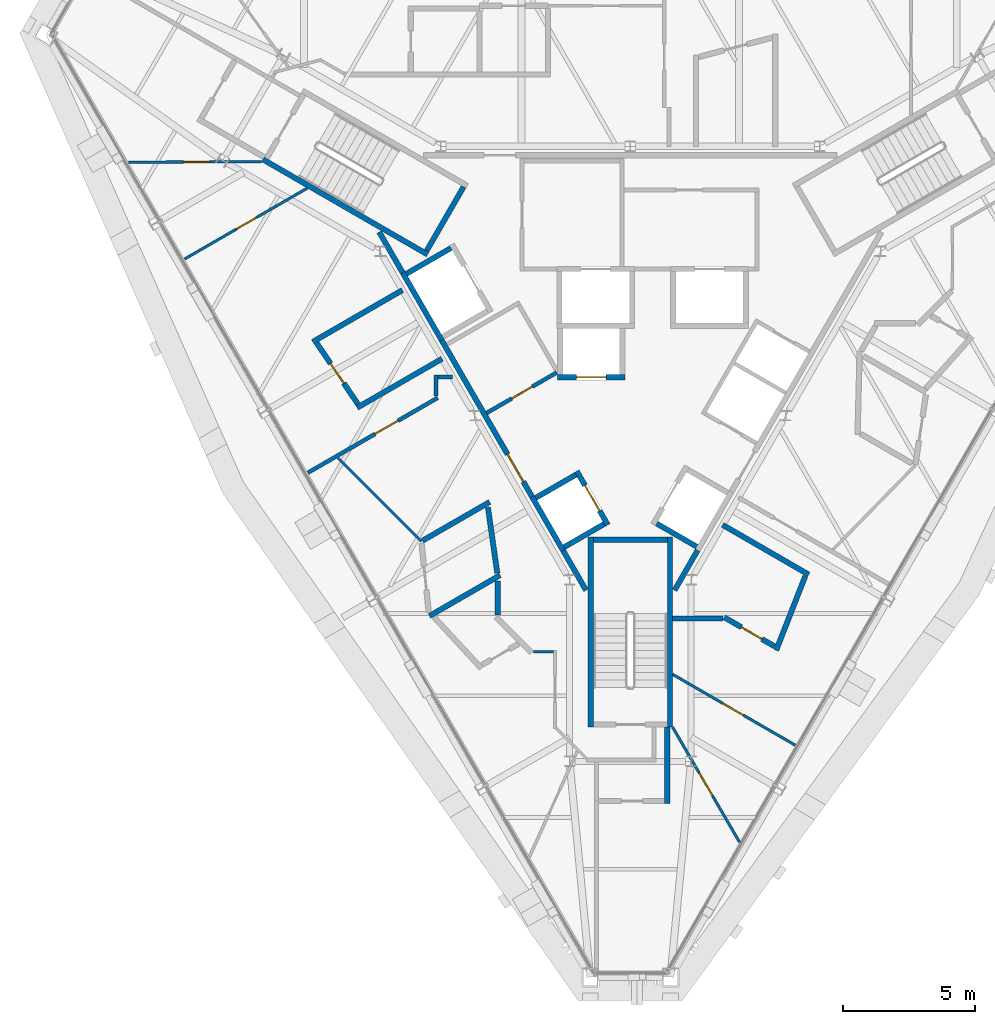
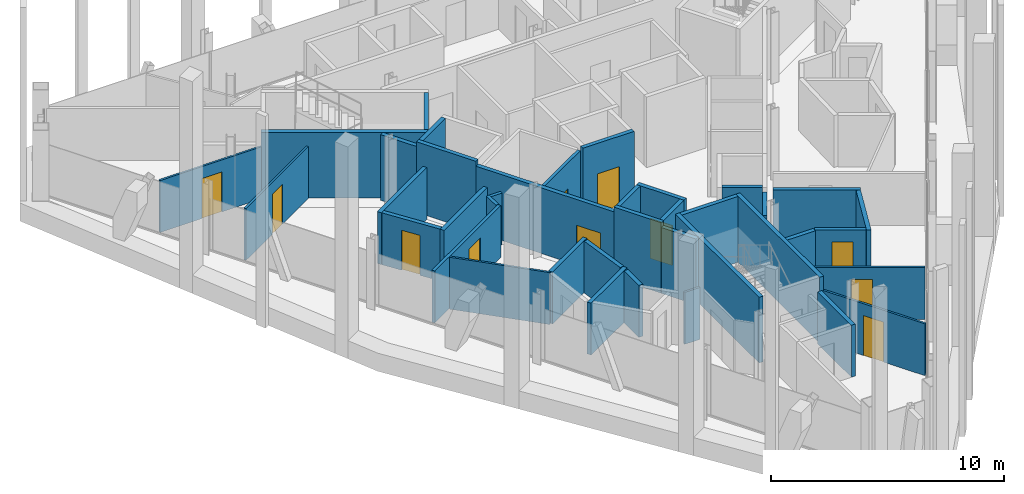
# One storey, part 8 of 13: 39 walls, 11 doors, 11 openings.
"""IFC4 building model written with IfcOpenShell, lengths in metres."""

import ifcopenshell
import ifcopenshell.guid

model = None  # the IFC model being written
_history = None  # IfcOwnerHistory: only IFC2X3 demands one
_inside = {}  # id of a spatial element -> (the spatial element, [elements in it])
_under = {}  # id of a project, library or spatial element -> (it, [spatial elements below it])
_declared = {}  # id of a project -> (the project, [libraries it declares])
_typed = {}  # id of a type object -> (the type object, [elements of that type])
_made_of = {}  # id of a material, layer set ... -> (it, [elements and type objects made of it])


def new_model(schema):
    """Start an empty IFC model of exactly this schema.

    Asked for "IFC4X3", IfcOpenShell would pick the latest addendum, in which some entities
    have other attributes; the version numbers below select the first issue.
    IFC2X3 requires an IfcOwnerHistory on every rooted entity: one is made here for all.
    """
    global model, _history
    if schema == "IFC4X3":
        model = ifcopenshell.file(schema_version=(4, 3, 0, 0))
    else:
        model = ifcopenshell.file(schema=schema)
    _inside.clear()
    _under.clear()
    _declared.clear()
    _typed.clear()
    _made_of.clear()
    _history = None
    if model.schema == "IFC2X3":
        org = make("IfcOrganization", Name="unknown")
        user = make(
            "IfcPersonAndOrganization",
            ThePerson=make("IfcPerson", FamilyName="unknown"),
            TheOrganization=org,
        )
        app = make(
            "IfcApplication",
            ApplicationDeveloper=org,
            Version="unknown",
            ApplicationFullName="unknown",
            ApplicationIdentifier="unknown",
        )
        _history = make(
            "IfcOwnerHistory",
            OwningUser=user,
            OwningApplication=app,
            ChangeAction="ADDED",
            CreationDate=0,
        )
    return model


def make(cls, **values):
    """One entity of the class cls with the attributes given. An attribute that is None is left unset."""
    return model.create_entity(
        cls, **{name: value for name, value in values.items() if value is not None}
    )


def rooted(cls, **values):
    """An entity with a GlobalId (a new one), such as an element, a storey or a relation."""
    return make(cls, GlobalId=ifcopenshell.guid.new(), OwnerHistory=_history, **values)


def si_unit(unit_type, name, prefix=None):
    """IfcSIUnit, for example si_unit("LENGTHUNIT", "METRE", prefix="MILLI")."""
    return make("IfcSIUnit", UnitType=unit_type, Prefix=prefix, Name=name)


def assignment(units):
    """IfcUnitAssignment: the units of a project."""
    return None if units is None else make("IfcUnitAssignment", Units=units)


def point(xyz):
    """IfcCartesianPoint."""
    return None if xyz is None else make("IfcCartesianPoint", Coordinates=xyz)


def direction(xyz):
    """IfcDirection."""
    return None if xyz is None else make("IfcDirection", DirectionRatios=xyz)


def frame(location, z_axis=None, x_axis=None):
    """IfcAxis2Placement3D, a coordinate frame: its origin and axes. An axis left out is left unset."""
    return make(
        "IfcAxis2Placement3D",
        Location=point(location),
        Axis=direction(z_axis),
        RefDirection=direction(x_axis),
    )


def frame_2d(location, x_axis=None):
    """IfcAxis2Placement2D, a coordinate frame in the plane: its origin and x axis."""
    return make(
        "IfcAxis2Placement2D", Location=point(location), RefDirection=direction(x_axis)
    )


def origin():
    """The frame at (0, 0, 0) with its axes left unset."""
    return frame((0.0, 0.0, 0.0))


def place(relative_to, where):
    """IfcLocalPlacement: puts the frame where relative to a parent placement (None: the world)."""
    return make(
        "IfcLocalPlacement", PlacementRelTo=relative_to, RelativePlacement=where
    )


def context(
    kind, dimensions, precision=None, world=None, true_north=None, identifier=None
):
    """IfcGeometricRepresentationContext, for example the 3D "Model" context."""
    return make(
        "IfcGeometricRepresentationContext",
        ContextIdentifier=identifier,
        ContextType=kind,
        CoordinateSpaceDimension=dimensions,
        Precision=precision,
        WorldCoordinateSystem=world,
        TrueNorth=true_north,
    )


def subcontext(parent, identifier, kind, view, scale=None):
    """IfcGeometricRepresentationSubContext, for example "Body" below "Model"."""
    return make(
        "IfcGeometricRepresentationSubContext",
        ContextIdentifier=identifier,
        ContextType=kind,
        ParentContext=parent,
        TargetScale=scale,
        TargetView=view,
    )


def project(units=None, contexts=None):
    """IfcProject with its units and contexts."""
    return rooted(
        "IfcProject",
        Name="project",
        RepresentationContexts=contexts,
        UnitsInContext=assignment(units),
    )


def spatial(cls, under=None, at=None, **own):
    """A site, building, storey or space (cls), placed at a placement, below another one or the project."""
    s = rooted(cls, ObjectPlacement=at, **own)
    if under is not None:
        _under.setdefault(under.id(), (under, []))[1].append(s)
    return s


def profile(cls, at=None, kind="AREA", **sizes):
    """A parametric profile (cls). Its sizes go by their IFC names, for example OverallWidth=200.0."""
    return make(cls, ProfileType=kind, Position=at, **sizes)


def rectangle(**sizes):
    """IfcRectangleProfileDef."""
    return profile("IfcRectangleProfileDef", **sizes)


def extrude(swept, where, along, depth):
    """IfcExtrudedAreaSolid: the profile swept, set in the frame where, extruded along a direction by depth."""
    return make(
        "IfcExtrudedAreaSolid",
        SweptArea=swept,
        Position=where,
        ExtrudedDirection=direction(along),
        Depth=depth,
    )


def shape(context_of_items, identifier, shape_type, items):
    """IfcShapeRepresentation: the items that make up one representation, for example the "Body"."""
    return make(
        "IfcShapeRepresentation",
        ContextOfItems=context_of_items,
        RepresentationIdentifier=identifier,
        RepresentationType=shape_type,
        Items=items,
    )


def material(Name=None, Category=None):
    """IfcMaterial."""
    return make("IfcMaterial", Name=Name, Category=Category)


def layer(
    of_material, thickness, ventilated=None, Name=None, Category=None, Priority=None
):
    """IfcMaterialLayer: one layer of a wall or slab, of a material (None: an air gap)."""
    return make(
        "IfcMaterialLayer",
        Material=of_material,
        LayerThickness=thickness,
        IsVentilated=ventilated,
        Name=Name,
        Category=Category,
        Priority=Priority,
    )


def layer_set(layers, Name=None):
    """IfcMaterialLayerSet."""
    return make("IfcMaterialLayerSet", MaterialLayers=layers, LayerSetName=Name)


def made_of(thing, what):
    """Note that an element or type object is made of a material, layer set ...; save() writes the relation."""
    if what is not None:
        _made_of.setdefault(what.id(), (what, []))[1].append(thing)
    return thing


def type_object(cls, material=None, **own):
    """A type object (cls), such as IfcWallType, which elements share."""
    return made_of(rooted(cls, **own), material)


def element(
    cls,
    number,
    at=None,
    inside=None,
    cuts=None,
    type_object=None,
    material=None,
    context=None,
    identifier="Body",
    shape_type=None,
    held_by="IfcProductDefinitionShape",
    body=None,
    shapes=None,
    **own,
):
    """One element of the class cls, such as IfcWall. Its Tag is "e" and its number.

    at: its placement. inside: the storey or other place that contains it. cuts: it is an
    opening in that element (IfcRelVoidsElement). A single representation is given by context,
    identifier, shape_type and body (its items); several are given by shapes. held_by: the class
    of the entity that holds the representations. save() writes the other relations.
    """
    e = rooted(cls, Tag="e%d" % number, ObjectPlacement=at, **own)
    if body is not None:
        shapes = [shape(context, identifier, shape_type, body)]
    if shapes is not None:
        e.Representation = make(held_by, Representations=shapes)
    if inside is not None:
        _inside.setdefault(inside.id(), (inside, []))[1].append(e)
    if cuts is not None:
        rooted(
            "IfcRelVoidsElement", RelatingBuildingElement=cuts, RelatedOpeningElement=e
        )
    if type_object is not None:
        _typed.setdefault(type_object.id(), (type_object, []))[1].append(e)
    return made_of(e, material)


def fill(opening, filler):
    """IfcRelFillsElement: the door or window that sits in an opening."""
    return rooted(
        "IfcRelFillsElement",
        RelatingOpeningElement=opening,
        RelatedBuildingElement=filler,
    )


def aggregate(whole, parts):
    """IfcRelAggregates: a whole, such as a stair, and the parts it consists of."""
    return rooted("IfcRelAggregates", RelatingObject=whole, RelatedObjects=parts)


def save(model, path):
    """Write the relations noted so far, then the file.

    IfcRelAggregates (storeys below a building ...), IfcRelContainedInSpatialStructure (elements
    in a storey), IfcRelDefinesByType, IfcRelAssociatesMaterial and IfcRelDeclares: one each for
    every whole, place, type object, material and project.
    """
    for whole, parts in _under.values():
        aggregate(whole, parts)
    for where, things in _inside.values():
        rooted(
            "IfcRelContainedInSpatialStructure",
            RelatedElements=things,
            RelatingStructure=where,
        )
    for kind, things in _typed.values():
        rooted("IfcRelDefinesByType", RelatedObjects=things, RelatingType=kind)
    for what, things in _made_of.values():
        rooted("IfcRelAssociatesMaterial", RelatedObjects=things, RelatingMaterial=what)
    for by, libraries in _declared.values():
        rooted("IfcRelDeclares", RelatingContext=by, RelatedDefinitions=libraries)
    model.write(path)


model = new_model("IFC4")

# Units and contexts
model_context = context("Model", 3, precision=1e-05, world=origin(), true_north=direction((0.0, 1.0)))
body_context = subcontext(model_context, "Body", "Model", "MODEL_VIEW")
ifc_project = project(units=[si_unit("LENGTHUNIT", "METRE"), si_unit("AREAUNIT", "SQUARE_METRE"), si_unit("VOLUMEUNIT", "CUBIC_METRE"), si_unit("PLANEANGLEUNIT", "RADIAN"), si_unit("MASSUNIT", "GRAM", prefix="KILO")], contexts=[model_context])

# Site, building, storey
site_placement = place(None, origin())
site = spatial("IfcSite", under=ifc_project, at=site_placement, CompositionType="ELEMENT")
building_placement = place(site_placement, origin())
building = spatial("IfcBuilding", under=site, at=building_placement, Name="Verrane Prism Tower", CompositionType="ELEMENT")
storey_placement = place(building_placement, frame((0.0, 0.0, 275.10009765625)))
storey = spatial("IfcBuildingStorey", under=building, at=storey_placement, Name="L69", CompositionType="ELEMENT", Elevation=275.10009765625)

# Wall
ifc_material_1 = material(Name="Gypsum board partition", Category="other")
ifc_layer_1 = layer(ifc_material_1, 0.199951171875)
ifc_layer_set_1 = layer_set([ifc_layer_1], Name="CW-200 core boundary wall 2 h")
wall_type_1 = type_object("IfcWallType", Name="CW-200 core boundary wall 2 h", PredefinedType="PARTITIONING", material=ifc_layer_set_1)
wall_1_placement = place(storey_placement, frame((-9.509033203125, 3.550537109375, 0.0), z_axis=(0.0, 0.0, 1.0), x_axis=(0.499999136801, -0.866025902152, 0.0)))
element("IfcWall", 1, at=wall_1_placement, inside=storey, type_object=wall_type_1, Name="Core boundary wall CW3-001", PredefinedType="PARTITIONING", context=body_context, shape_type="SweptSolid", body=[
    extrude(rectangle(XDim=1.7822265625, YDim=0.199951171875, at=frame_2d((0.89111328125, 0.0))), origin(), (0.0, 0.0, 1.0), 3.449951171875),
])

# Wall, opening, door
wall_2_placement = place(storey_placement, frame((-7.14111328125, -0.551025390625, 0.0), z_axis=(0.0, 0.0, 1.0), x_axis=(0.500001302854, -0.86602465158, 0.0)))
wall_2 = element("IfcWall", 2, at=wall_2_placement, inside=storey, type_object=wall_type_1, Name="Core boundary wall CW3-003", PredefinedType="PARTITIONING", context=body_context, shape_type="SweptSolid", body=[
    extrude(rectangle(XDim=6.84619140625, YDim=0.199951171875, at=frame_2d((3.423095703125, 0.0))), origin(), (0.0, 0.0, 1.0), 3.449951171875),
])
opening_1_placement = place(wall_2_placement, frame((4.98291015625, 0.0, 0.0)))
opening_1 = element("IfcOpeningElement", 3, at=opening_1_placement, cuts=wall_2, Name="Opening D69510", PredefinedType="OPENING", context=body_context, shape_type="SweptSolid", body=[
    extrude(rectangle(XDim=1.199951171875, YDim=2.10009765625, at=frame_2d((0.60009765625, 1.050048828125))), frame((0.0, 0.10986328125, 0.0), z_axis=(0.0, -1.0, 0.0), x_axis=(1.0, 0.0, 0.0)), (0.0, 0.0, 1.0), 0.219970703125),
])
ifc_material_2 = material(Name="Timber veneered door leaf", Category="wood")
door_type_1 = type_object("IfcDoorType", Name="DR-1200x2100 FD60 single leaf lift lobby", OperationType="NOTDEFINED", PredefinedType="DOOR", material=ifc_material_2)
door_1_placement = place(opening_1_placement, origin())
door_1 = element("IfcDoor", 4, at=door_1_placement, inside=storey, type_object=door_type_1, Name="Lift lobby door D69510", OperationType="SINGLE_SWING_RIGHT", OverallHeight=2.10009765625, OverallWidth=1.199951171875, PredefinedType="DOOR", context=body_context, shape_type="SweptSolid", body=[
    extrude(rectangle(XDim=1.199951171875, YDim=2.10009765625, at=frame_2d((0.60009765625, 1.050048828125))), frame((0.0, 0.02490234375, 0.0), z_axis=(0.0, -1.0, 0.0), x_axis=(1.0, 0.0, 0.0)), (0.0, 0.0, 1.0), 0.050048828125),
])
fill(opening_1, door_1)

# Walls
wall_3_placement = place(storey_placement, frame((-2.541015625, -8.51904296875, 0.0), z_axis=(0.0, 0.0, 1.0), x_axis=(0.500016142392, -0.86601608377, 0.0)))
element("IfcWall", 5, at=wall_3_placement, inside=storey, type_object=wall_type_1, Name="Core boundary wall CW3-004", PredefinedType="PARTITIONING", context=body_context, shape_type="SweptSolid", body=[
    extrude(rectangle(XDim=1.72705078125, YDim=0.199951171875, at=frame_2d((0.863525390625, 0.0))), origin(), (0.0, 0.0, 1.0), 3.449951171875),
])
wall_4_placement = place(storey_placement, frame((1.677490234375, -10.0146484375, 0.0), z_axis=(0.0, 0.0, 1.0), x_axis=(0.49983532306, 0.866120459187, 0.0)))
element("IfcWall", 6, at=wall_4_placement, inside=storey, type_object=wall_type_1, Name="Core boundary wall CW3-005", PredefinedType="PARTITIONING", context=body_context, shape_type="SweptSolid", body=[
    extrude(rectangle(XDim=1.74755859375, YDim=0.199951171875, at=frame_2d((0.873779296875, 0.0))), origin(), (0.0, 0.0, 1.0), 3.449951171875),
])
ifc_material_3 = material(Name="Concrete C40/50", Category="concrete")
ifc_layer_2 = layer(ifc_material_3, 0.199951171875)
ifc_layer_set_2 = layer_set([ifc_layer_2], Name="CW-200 stair core wall concrete C40/50 3 h")
wall_type_2 = type_object("IfcWallType", Name="CW-200 stair core wall concrete C40/50 3 h", PredefinedType="PARTITIONING", material=ifc_layer_set_2)
wall_5_placement = place(storey_placement, frame((-7.67822265625, 2.700927734375, 0.0), z_axis=(0.0, 0.0, 1.0), x_axis=(-0.866018442252, 0.500012057535, 0.0)))
element("IfcWall", 7, at=wall_5_placement, inside=storey, type_object=wall_type_2, Name="Stair 2 enclosure wall", PredefinedType="PARTITIONING", context=body_context, shape_type="SweptSolid", body=[
    extrude(rectangle(XDim=7.199951171875, YDim=0.199951171875, at=frame_2d((3.60009765625, 0.0))), origin(), (0.0, 0.0, 1.0), 3.449951171875),
])
wall_6_placement = place(storey_placement, frame((-6.314697265625, 5.262451171875, 0.0), z_axis=(0.0, 0.0, 1.0), x_axis=(-0.500049511043, -0.865996816683, 0.0)))
element("IfcWall", 8, at=wall_6_placement, inside=storey, type_object=wall_type_2, Name="Stair 2 enclosure wall", PredefinedType="PARTITIONING", context=body_context, shape_type="SweptSolid", body=[
    extrude(rectangle(XDim=2.800048828125, YDim=0.199951171875, at=frame_2d((1.39990234375, 0.0))), origin(), (0.0, 0.0, 1.0), 3.449951171875),
])
for number, where, z_axis, x_axis, name in (
    (9, (1.5, -8.0, 0.0), (0.0, 0.0, 1.0), (0.0, -1.0, 0.0), "Stair 3 enclosure wall"),
    (10, (-1.5, -8.0, 0.0), (0.0, 0.0, 1.0), (0.0, -1.0, 0.0), "Stair 3 enclosure wall"),
):
    element("IfcWall", number, at=place(storey_placement, frame(where, z_axis=z_axis, x_axis=x_axis)), inside=storey, type_object=wall_type_2, Name=name, PredefinedType="PARTITIONING", context=body_context, shape_type="SweptSolid", body=[
        extrude(rectangle(XDim=7.199951171875, YDim=0.199951171875, at=frame_2d((3.60009765625, 0.0))), origin(), (0.0, 0.0, 1.0), 3.449951171875),
    ])
wall_7_placement = place(storey_placement, frame((-1.39990234375, -8.10009765625, 0.0), z_axis=(0.0, 0.0, 1.0), x_axis=(1.0, 0.0, 0.0)))
element("IfcWall", 11, at=wall_7_placement, inside=storey, type_object=wall_type_2, Name="Stair 3 enclosure wall", PredefinedType="PARTITIONING", context=body_context, shape_type="SweptSolid", body=[
    extrude(rectangle(XDim=2.7998046875, YDim=0.199951171875, at=frame_2d((1.39990234375, 0.0))), origin(), (0.0, 0.0, 1.0), 3.449951171875),
])

# Wall, opening, door
ifc_material_4 = material(Name="Gypsum board shaft wall assembly", Category="other")
ifc_layer_3 = layer(ifc_material_4, 0.199951171875)
ifc_layer_set_3 = layer_set([ifc_layer_3], Name="HW-200 lift shaft wall 2 h")
wall_type_3 = type_object("IfcWallType", Name="HW-200 lift shaft wall 2 h", PredefinedType="PARTITIONING", material=ifc_layer_set_3)
wall_8_placement = place(storey_placement, frame((-2.7548828125, -1.949951171875, 0.0), z_axis=(0.0, 0.0, 1.0), x_axis=(1.0, 0.0, 0.0)))
wall_8 = element("IfcWall", 12, at=wall_8_placement, inside=storey, type_object=wall_type_3, Name="Lift shaft wall", PredefinedType="PARTITIONING", context=body_context, shape_type="SweptSolid", body=[
    extrude(rectangle(XDim=2.5498046875, YDim=0.199951171875, at=frame_2d((1.27490234375, 0.0))), origin(), (0.0, 0.0, 1.0), 3.699951171875),
])
opening_2_placement = place(wall_8_placement, frame((0.72509765625, 0.0, 0.0)))
opening_2 = element("IfcOpeningElement", 13, at=opening_2_placement, cuts=wall_8, Name="Opening D69504", PredefinedType="OPENING", context=body_context, shape_type="SweptSolid", body=[
    extrude(rectangle(XDim=1.10009765625, YDim=2.10009765625, at=frame_2d((0.550048828125, 1.050048828125))), frame((0.0, 0.10986328125, 0.0), z_axis=(0.0, -1.0, 0.0), x_axis=(1.0, 0.0, 0.0)), (0.0, 0.0, 1.0), 0.219970703125),
])
ifc_material_5 = material(Name="Stainless steel sliding landing door", Category="steel")
door_type_2 = type_object("IfcDoorType", Name="LD-1100x2100 lift landing door FD90 sliding", OperationType="NOTDEFINED", PredefinedType="DOOR", material=ifc_material_5)
door_2_placement = place(opening_2_placement, origin())
door_2 = element("IfcDoor", 14, at=door_2_placement, inside=storey, type_object=door_type_2, Name="Bank C lift 2 landing door", OperationType="SLIDING_TO_RIGHT", OverallHeight=2.10009765625, OverallWidth=1.10009765625, PredefinedType="DOOR", context=body_context, shape_type="SweptSolid", body=[
    extrude(rectangle(XDim=1.10009765625, YDim=2.10009765625, at=frame_2d((0.550048828125, 1.050048828125))), frame((0.0, 0.02490234375, 0.0), z_axis=(0.0, -1.0, 0.0), x_axis=(1.0, 0.0, 0.0)), (0.0, 0.0, 1.0), 0.050048828125),
])
fill(opening_2, door_2)

# Walls
for number, where, z_axis, x_axis, name in (
    (15, (-2.50537109375, -8.38037109375, 0.0), (0.0, 0.0, 1.0), (0.866002029911, 0.500040482552, 0.0), "Lift shaft wall"),
    (16, (-3.580322265625, -6.5185546875, 0.0), (0.0, 0.0, 1.0), (0.866002029911, 0.500040482552, 0.0), "Lift shaft wall"),
):
    element("IfcWall", number, at=place(storey_placement, frame(where, z_axis=z_axis, x_axis=x_axis)), inside=storey, type_object=wall_type_3, Name=name, PredefinedType="PARTITIONING", context=body_context, shape_type="SweptSolid", body=[
        extrude(rectangle(XDim=1.749755859375, YDim=0.199951171875, at=frame_2d((0.875, 0.0))), origin(), (0.0, 0.0, 1.0), 3.699951171875),
    ])
wall_9_placement = place(storey_placement, frame((-8.48046875, 1.968505859375, 0.0), z_axis=(0.0, 0.0, 1.0), x_axis=(0.866000020948, 0.500043961785, 0.0)))
element("IfcWall", 17, at=wall_9_placement, inside=storey, type_object=wall_type_3, Name="Lift shaft wall", PredefinedType="PARTITIONING", context=body_context, shape_type="SweptSolid", body=[
    extrude(rectangle(XDim=1.949951171875, YDim=0.199951171875, at=frame_2d((0.97509765625, 0.0))), origin(), (0.0, 0.0, 1.0), 3.699951171875),
])

# Wall, opening, door
wall_10_placement = place(storey_placement, frame((-0.853271484375, -7.5419921875, 0.0), z_axis=(0.0, 0.0, 1.0), x_axis=(-0.500016218704, 0.866016039709, 0.0)))
wall_10 = element("IfcWall", 18, at=wall_10_placement, inside=storey, type_object=wall_type_3, Name="Lift shaft wall", PredefinedType="PARTITIONING", context=body_context, shape_type="SweptSolid", body=[
    extrude(rectangle(XDim=2.35009765625, YDim=0.199951171875, at=frame_2d((1.175048828125, 0.0))), origin(), (0.0, 0.0, 1.0), 3.699951171875),
])
opening_3_placement = place(wall_10_placement, frame((0.625, 0.0, 0.0)))
opening_3 = element("IfcOpeningElement", 19, at=opening_3_placement, cuts=wall_10, Name="Opening D69503", PredefinedType="OPENING", context=body_context, shape_type="SweptSolid", body=[
    extrude(rectangle(XDim=1.10009765625, YDim=2.10009765625, at=frame_2d((0.550048828125, 1.050048828125))), frame((0.0, 0.10986328125, 0.0), z_axis=(0.0, -1.0, 0.0), x_axis=(1.0, 0.0, 0.0)), (0.0, 0.0, 1.0), 0.219970703125),
])
door_3_placement = place(opening_3_placement, origin())
door_3 = element("IfcDoor", 20, at=door_3_placement, inside=storey, type_object=door_type_2, Name="Bank C lift 1 landing door", OperationType="SLIDING_TO_LEFT", OverallHeight=2.10009765625, OverallWidth=1.10009765625, PredefinedType="DOOR", context=body_context, shape_type="SweptSolid", body=[
    extrude(rectangle(XDim=1.10009765625, YDim=2.10009765625, at=frame_2d((0.550048828125, 1.050048828125))), frame((0.0, 0.02490234375, 0.0), z_axis=(0.0, -1.0, 0.0), x_axis=(1.0, 0.0, 0.0)), (0.0, 0.0, 1.0), 0.050048828125),
])
fill(opening_3, door_3)

# Walls
wall_11_placement = place(storey_placement, frame((-2.5419921875, -8.51708984375, 0.0), z_axis=(0.0, 0.0, 1.0), x_axis=(-0.500016218704, 0.866016039709, 0.0)))
element("IfcWall", 21, at=wall_11_placement, inside=storey, type_object=wall_type_3, Name="Lift shaft wall", PredefinedType="PARTITIONING", context=body_context, shape_type="SweptSolid", body=[
    extrude(rectangle(XDim=2.35009765625, YDim=0.199951171875, at=frame_2d((1.175048828125, 0.0))), origin(), (0.0, 0.0, 1.0), 3.699951171875),
])
wall_12_placement = place(storey_placement, frame((-7.14208984375, -0.549560546875, 0.0), z_axis=(0.0, 0.0, 1.0), x_axis=(-0.49997559174, 0.866039495442, 0.0)))
element("IfcWall", 22, at=wall_12_placement, inside=storey, type_object=wall_type_3, Name="Lift shaft wall", PredefinedType="PARTITIONING", context=body_context, shape_type="SweptSolid", body=[
    extrude(rectangle(XDim=2.949951171875, YDim=0.199951171875, at=frame_2d((1.47509765625, 0.0))), origin(), (0.0, 0.0, 1.0), 3.699951171875),
])
wall_13_placement = place(storey_placement, frame((2.515380859375, -8.36328125, 0.0), z_axis=(0.0, 0.0, 1.0), x_axis=(-0.866036909293, 0.499980071345, 0.0)))
element("IfcWall", 23, at=wall_13_placement, inside=storey, type_object=wall_type_3, Name="Lift shaft wall", PredefinedType="PARTITIONING", context=body_context, shape_type="SweptSolid", body=[
    extrude(rectangle(XDim=1.75, YDim=0.199951171875, at=frame_2d((0.875, 0.0))), origin(), (0.0, 0.0, 1.0), 3.699951171875),
])

# Wall, opening, door
ifc_material_6 = material(Name="Gypsum board partition", Category="other")
ifc_layer_4 = layer(ifc_material_6, 0.10009765625)
ifc_layer_set_4 = layer_set([ifc_layer_4], Name="PW-100 room partition")
wall_type_4 = type_object("IfcWallType", Name="PW-100 room partition", PredefinedType="PARTITIONING", material=ifc_layer_set_4)
wall_14_placement = place(storey_placement, frame((-19.00537109375, 6.19580078125, 0.0), z_axis=(0.0, 0.0, 1.0), x_axis=(0.999993403855, 0.003632113191, 0.0)))
wall_14 = element("IfcWall", 24, at=wall_14_placement, inside=storey, type_object=wall_type_4, Name="Room partition 002", PredefinedType="PARTITIONING", context=body_context, shape_type="SweptSolid", body=[
    extrude(rectangle(XDim=5.041259765625, YDim=0.10009765625, at=frame_2d((2.5205078125, 0.0))), origin(), (0.0, 0.0, 1.0), 2.722900390625),
])
opening_4_placement = place(wall_14_placement, frame((2.074462890625, 0.0, 0.0)))
opening_4 = element("IfcOpeningElement", 25, at=opening_4_placement, cuts=wall_14, Name="Opening D69022", PredefinedType="OPENING", context=body_context, shape_type="SweptSolid", body=[
    extrude(rectangle(XDim=1.0, YDim=2.10009765625, at=frame_2d((0.5, 1.050048828125))), frame((0.0, 0.06005859375, 0.0), z_axis=(0.0, -1.0, 0.0), x_axis=(1.0, 0.0, 0.0)), (0.0, 0.0, 1.0), 0.1201171875),
])
ifc_material_7 = material(Name="Timber veneered door leaf", Category="wood")
door_type_3 = type_object("IfcDoorType", Name="DR-1000x2100 single leaf inner", OperationType="NOTDEFINED", PredefinedType="DOOR", material=ifc_material_7)
door_4_placement = place(opening_4_placement, origin())
door_4 = element("IfcDoor", 26, at=door_4_placement, inside=storey, type_object=door_type_3, Name="Study door", OperationType="SINGLE_SWING_RIGHT", OverallHeight=2.10009765625, OverallWidth=1.0, PredefinedType="DOOR", context=body_context, shape_type="SweptSolid", body=[
    extrude(rectangle(XDim=1.0, YDim=2.10009765625, at=frame_2d((0.5, 1.050048828125))), frame((0.0, 0.02490234375, 0.0), z_axis=(0.0, -1.0, 0.0), x_axis=(1.0, 0.0, 0.0)), (0.0, 0.0, 1.0), 0.050048828125),
])
fill(opening_4, door_4)

wall_15_placement = place(storey_placement, frame((-16.87744140625, 2.531005859375, 0.0), z_axis=(0.0, 0.0, 1.0), x_axis=(0.865988563531, 0.500063803762, 0.0)))
wall_15 = element("IfcWall", 27, at=wall_15_placement, inside=storey, type_object=wall_type_4, Name="Room partition 003", PredefinedType="PARTITIONING", context=body_context, shape_type="SweptSolid", body=[
    extrude(rectangle(XDim=5.365478515625, YDim=0.10009765625, at=frame_2d((2.6826171875, 0.0))), origin(), (0.0, 0.0, 1.0), 2.722900390625),
])
opening_5_placement = place(wall_15_placement, frame((2.253662109375, 0.0, 0.0)))
opening_5 = element("IfcOpeningElement", 28, at=opening_5_placement, cuts=wall_15, Name="Opening D69019", PredefinedType="OPENING", context=body_context, shape_type="SweptSolid", body=[
    extrude(rectangle(XDim=0.89990234375, YDim=2.10009765625, at=frame_2d((0.449951171875, 1.050048828125))), frame((0.0, 0.06005859375, 0.0), z_axis=(0.0, -1.0, 0.0), x_axis=(1.0, 0.0, 0.0)), (0.0, 0.0, 1.0), 0.1201171875),
])
ifc_material_8 = material(Name="Timber veneered door leaf", Category="wood")
door_type_4 = type_object("IfcDoorType", Name="DR-900x2100 single leaf inner", OperationType="NOTDEFINED", PredefinedType="DOOR", material=ifc_material_8)
door_5_placement = place(opening_5_placement, origin())
door_5 = element("IfcDoor", 29, at=door_5_placement, inside=storey, type_object=door_type_4, Name="Living And Dining Room door", OperationType="SINGLE_SWING_LEFT", OverallHeight=2.10009765625, OverallWidth=0.89990234375, PredefinedType="DOOR", context=body_context, shape_type="SweptSolid", body=[
    extrude(rectangle(XDim=0.89990234375, YDim=2.10009765625, at=frame_2d((0.449951171875, 1.050048828125))), frame((0.0, 0.02490234375, 0.0), z_axis=(0.0, -1.0, 0.0), x_axis=(1.0, 0.0, 0.0)), (0.0, 0.0, 1.0), 0.050048828125),
])
fill(opening_5, door_5)

# Walls
wall_16_placement = place(storey_placement, frame((-11.070556640625, -5.00830078125, 0.0), z_axis=(0.0, 0.0, 1.0), x_axis=(0.707079435951, -0.707134125365, 0.0)))
element("IfcWall", 30, at=wall_16_placement, inside=storey, type_object=wall_type_4, Name="Room partition 014", PredefinedType="PARTITIONING", context=body_context, shape_type="SweptSolid", body=[
    extrude(rectangle(XDim=4.464111328125, YDim=0.10009765625, at=frame_2d((2.23193359375, 0.0))), origin(), (0.0, 0.0, 1.0), 2.722900390625),
])
wall_17_placement = place(storey_placement, frame((-3.6640625, -12.339111328125, 0.0), z_axis=(0.0, 0.0, 1.0), x_axis=(1.0, 0.0, 0.0)))
element("IfcWall", 31, at=wall_17_placement, inside=storey, type_object=wall_type_4, Name="Room partition 032", PredefinedType="PARTITIONING", context=body_context, shape_type="SweptSolid", body=[
    extrude(rectangle(XDim=0.76416015625, YDim=0.10009765625, at=frame_2d((0.382080078125, 0.0))), origin(), (0.0, 0.0, 1.0), 2.722900390625),
])

# Wall, opening, door
wall_18_placement = place(storey_placement, frame((4.137451171875, -19.55712890625, 0.0), z_axis=(0.0, 0.0, 1.0), x_axis=(-0.503229634544, 0.864152726615, 0.0)))
wall_18 = element("IfcWall", 32, at=wall_18_placement, inside=storey, type_object=wall_type_4, Name="Room partition 045", PredefinedType="PARTITIONING", context=body_context, shape_type="SweptSolid", body=[
    extrude(rectangle(XDim=5.042236328125, YDim=0.10009765625, at=frame_2d((2.52099609375, 0.0))), origin(), (0.0, 0.0, 1.0), 2.722900390625),
])
opening_6_placement = place(wall_18_placement, frame((2.042236328125, 0.0, 0.0)))
opening_6 = element("IfcOpeningElement", 33, at=opening_6_placement, cuts=wall_18, Name="Opening D69004", PredefinedType="OPENING", context=body_context, shape_type="SweptSolid", body=[
    extrude(rectangle(XDim=1.0, YDim=2.10009765625, at=frame_2d((0.5, 1.050048828125))), frame((0.0, 0.06005859375, 0.0), z_axis=(0.0, -1.0, 0.0), x_axis=(1.0, 0.0, 0.0)), (0.0, 0.0, 1.0), 0.1201171875),
])
door_6_placement = place(opening_6_placement, origin())
door_6 = element("IfcDoor", 34, at=door_6_placement, inside=storey, type_object=door_type_3, Name="Study door", OperationType="SINGLE_SWING_LEFT", OverallHeight=2.10009765625, OverallWidth=1.0, PredefinedType="DOOR", context=body_context, shape_type="SweptSolid", body=[
    extrude(rectangle(XDim=1.0, YDim=2.10009765625, at=frame_2d((0.5, 1.050048828125))), frame((0.0, 0.02490234375, 0.0), z_axis=(0.0, -1.0, 0.0), x_axis=(1.0, 0.0, 0.0)), (0.0, 0.0, 1.0), 0.050048828125),
])
fill(opening_6, door_6)

wall_19_placement = place(storey_placement, frame((6.24658203125, -15.8828125, 0.0), z_axis=(0.0, 0.0, 1.0), x_axis=(-0.866008267802, 0.500029679218, 0.0)))
wall_19 = element("IfcWall", 35, at=wall_19_placement, inside=storey, type_object=wall_type_4, Name="Room partition 046", PredefinedType="PARTITIONING", context=body_context, shape_type="SweptSolid", body=[
    extrude(rectangle(XDim=5.365478515625, YDim=0.10009765625, at=frame_2d((2.6826171875, 0.0))), origin(), (0.0, 0.0, 1.0), 2.722900390625),
])
opening_7_placement = place(wall_19_placement, frame((2.265380859375, 0.0, 0.0)))
opening_7 = element("IfcOpeningElement", 36, at=opening_7_placement, cuts=wall_19, Name="Opening D69001", PredefinedType="OPENING", context=body_context, shape_type="SweptSolid", body=[
    extrude(rectangle(XDim=0.89990234375, YDim=2.10009765625, at=frame_2d((0.449951171875, 1.050048828125))), frame((0.0, 0.06005859375, 0.0), z_axis=(0.0, -1.0, 0.0), x_axis=(1.0, 0.0, 0.0)), (0.0, 0.0, 1.0), 0.1201171875),
])
door_7_placement = place(opening_7_placement, origin())
door_7 = element("IfcDoor", 37, at=door_7_placement, inside=storey, type_object=door_type_4, Name="Living And Dining Room door", OperationType="SINGLE_SWING_RIGHT", OverallHeight=2.10009765625, OverallWidth=0.89990234375, PredefinedType="DOOR", context=body_context, shape_type="SweptSolid", body=[
    extrude(rectangle(XDim=0.89990234375, YDim=2.10009765625, at=frame_2d((0.449951171875, 1.050048828125))), frame((0.0, 0.02490234375, 0.0), z_axis=(0.0, -1.0, 0.0), x_axis=(1.0, 0.0, 0.0)), (0.0, 0.0, 1.0), 0.050048828125),
])
fill(opening_7, door_7)

ifc_material_9 = material(Name="Gypsum board partition", Category="other")
ifc_layer_5 = layer(ifc_material_9, 0.14990234375)
ifc_layer_set_5 = layer_set([ifc_layer_5], Name="PW-150 demising wall 1 h")
wall_type_5 = type_object("IfcWallType", Name="PW-150 demising wall 1 h", PredefinedType="PARTITIONING", material=ifc_layer_set_5)
wall_20_placement = place(storey_placement, frame((-12.205078125, -5.562255859375, 0.0), z_axis=(0.0, 0.0, 1.0), x_axis=(0.866006351856, 0.500032997455, 0.0)))
wall_20 = element("IfcWall", 38, at=wall_20_placement, inside=storey, type_object=wall_type_5, Name="Demising wall 010", PredefinedType="PARTITIONING", context=body_context, shape_type="SweptSolid", body=[
    extrude(rectangle(XDim=5.6708984375, YDim=0.14990234375, at=frame_2d((2.83544921875, 0.0))), origin(), (0.0, 0.0, 1.0), 2.722900390625),
])
opening_8_placement = place(wall_20_placement, frame((2.935302734375, 0.0, 0.0)))
opening_8 = element("IfcOpeningElement", 39, at=opening_8_placement, cuts=wall_20, Name="Opening D69020", PredefinedType="OPENING", context=body_context, shape_type="SweptSolid", body=[
    extrude(rectangle(XDim=1.0, YDim=2.10009765625, at=frame_2d((0.5, 1.050048828125))), frame((0.0, 0.0849609375, 0.0), z_axis=(0.0, -1.0, 0.0), x_axis=(1.0, 0.0, 0.0)), (0.0, 0.0, 1.0), 0.169921875),
])
ifc_material_10 = material(Name="Timber veneered door leaf", Category="wood")
door_type_5 = type_object("IfcDoorType", Name="DR-1000x2100 FD20 single leaf inner", OperationType="NOTDEFINED", PredefinedType="DOOR", material=ifc_material_10)
door_8_placement = place(opening_8_placement, origin())
door_8 = element("IfcDoor", 40, at=door_8_placement, inside=storey, type_object=door_type_5, Name="Entrance Foyer door", OperationType="SINGLE_SWING_RIGHT", OverallHeight=2.10009765625, OverallWidth=1.0, PredefinedType="DOOR", context=body_context, shape_type="SweptSolid", body=[
    extrude(rectangle(XDim=1.0, YDim=2.10009765625, at=frame_2d((0.5, 1.050048828125))), frame((0.0, 0.02490234375, 0.0), z_axis=(0.0, -1.0, 0.0), x_axis=(1.0, 0.0, 0.0)), (0.0, 0.0, 1.0), 0.050048828125),
])
fill(opening_8, door_8)

# Walls
wall_21_placement = place(storey_placement, frame((-7.35888671875, -2.6640625, 0.0), z_axis=(0.0, 0.0, 1.0), x_axis=(0.0, 1.0, 0.0)))
element("IfcWall", 41, at=wall_21_placement, inside=storey, type_object=wall_type_5, Name="Demising wall 023", PredefinedType="PARTITIONING", context=body_context, shape_type="SweptSolid", body=[
    extrude(rectangle(XDim=0.80810546875, YDim=0.14990234375, at=frame_2d((0.404052734375, 0.0))), origin(), (0.0, 0.0, 1.0), 2.722900390625),
])
wall_22_placement = place(storey_placement, frame((-7.283935546875, -1.930908203125, 0.0), z_axis=(0.0, 0.0, 1.0), x_axis=(1.0, 0.0, 0.0)))
element("IfcWall", 42, at=wall_22_placement, inside=storey, type_object=wall_type_5, Name="Demising wall 024", PredefinedType="PARTITIONING", context=body_context, shape_type="SweptSolid", body=[
    extrude(rectangle(XDim=0.546875, YDim=0.14990234375, at=frame_2d((0.2734375, 0.0))), origin(), (0.0, 0.0, 1.0), 2.722900390625),
])

# Wall, opening, door
ifc_material_11 = material(Name="Gypsum board partition", Category="other")
ifc_layer_6 = layer(ifc_material_11, 0.199951171875)
ifc_layer_set_6 = layer_set([ifc_layer_6], Name="PW-200 plumbing wall")
wall_type_6 = type_object("IfcWallType", Name="PW-200 plumbing wall", PredefinedType="PARTITIONING", material=ifc_layer_set_6)
wall_23_placement = place(storey_placement, frame((-11.87841796875, -0.650146484375, 0.0), z_axis=(0.0, 0.0, 1.0), x_axis=(0.55887703026, -0.829250544195, 0.0)))
wall_23 = element("IfcWall", 43, at=wall_23_placement, inside=storey, type_object=wall_type_6, Name="Plumbing wall 011", PredefinedType="PARTITIONING", context=body_context, shape_type="SweptSolid", body=[
    extrude(rectangle(XDim=2.78759765625, YDim=0.199951171875, at=frame_2d((1.393798828125, 0.0))), origin(), (0.0, 0.0, 1.0), 2.722900390625),
])
opening_9_placement = place(wall_23_placement, frame((0.93994140625, 0.0, 0.0)))
opening_9 = element("IfcOpeningElement", 44, at=opening_9_placement, cuts=wall_23, Name="Opening D69021", PredefinedType="OPENING", context=body_context, shape_type="SweptSolid", body=[
    extrude(rectangle(XDim=0.89990234375, YDim=2.10009765625, at=frame_2d((0.449951171875, 1.050048828125))), frame((0.0, 0.10986328125, 0.0), z_axis=(0.0, -1.0, 0.0), x_axis=(1.0, 0.0, 0.0)), (0.0, 0.0, 1.0), 0.219970703125),
])
door_9_placement = place(opening_9_placement, origin())
door_9 = element("IfcDoor", 45, at=door_9_placement, inside=storey, type_object=door_type_4, Name="Kitchen door", OperationType="SINGLE_SWING_LEFT", OverallHeight=2.10009765625, OverallWidth=0.89990234375, PredefinedType="DOOR", context=body_context, shape_type="SweptSolid", body=[
    extrude(rectangle(XDim=0.89990234375, YDim=2.10009765625, at=frame_2d((0.449951171875, 1.050048828125))), frame((0.0, 0.02490234375, 0.0), z_axis=(0.0, -1.0, 0.0), x_axis=(1.0, 0.0, 0.0)), (0.0, 0.0, 1.0), 0.050048828125),
])
fill(opening_9, door_9)

# Walls
wall_24_placement = place(storey_placement, frame((-12.026611328125, -0.60888671875, 0.0), z_axis=(0.0, 0.0, 1.0), x_axis=(0.866011328839, 0.500024377727, 0.0)))
element("IfcWall", 46, at=wall_24_placement, inside=storey, type_object=wall_type_6, Name="Plumbing wall 012", PredefinedType="PARTITIONING", context=body_context, shape_type="SweptSolid", body=[
    extrude(rectangle(XDim=3.919677734375, YDim=0.199951171875, at=frame_2d((1.9599609375, 0.0))), origin(), (0.0, 0.0, 1.0), 2.722900390625),
])
wall_25_placement = place(storey_placement, frame((-10.345703125, -3.10302734375, 0.0), z_axis=(0.0, 0.0, 1.0), x_axis=(0.865958782482, 0.500115373731, 0.0)))
element("IfcWall", 47, at=wall_25_placement, inside=storey, type_object=wall_type_6, Name="Plumbing wall 016", PredefinedType="PARTITIONING", context=body_context, shape_type="SweptSolid", body=[
    extrude(rectangle(XDim=3.7109375, YDim=0.199951171875, at=frame_2d((1.85546875, 0.0))), origin(), (0.0, 0.0, 1.0), 2.722900390625),
])
wall_26_placement = place(storey_placement, frame((-7.87060546875, -8.139892578125, 0.0), z_axis=(0.0, 0.0, 1.0), x_axis=(0.866106676517, 0.49985920507, 0.0)))
element("IfcWall", 48, at=wall_26_placement, inside=storey, type_object=wall_type_6, Name="Plumbing wall 020", PredefinedType="PARTITIONING", context=body_context, shape_type="SweptSolid", body=[
    extrude(rectangle(XDim=2.936279296875, YDim=0.199951171875, at=frame_2d((1.46826171875, 0.0))), origin(), (0.0, 0.0, 1.0), 2.722900390625),
])
wall_27_placement = place(storey_placement, frame((-7.605712890625, -10.989990234375, 0.0), z_axis=(0.0, 0.0, 1.0), x_axis=(0.865956409518, 0.500119482538, 0.0)))
element("IfcWall", 49, at=wall_27_placement, inside=storey, type_object=wall_type_6, Name="Plumbing wall 022", PredefinedType="PARTITIONING", context=body_context, shape_type="SweptSolid", body=[
    extrude(rectangle(XDim=3.087158203125, YDim=0.199951171875, at=frame_2d((1.54345703125, 0.0))), origin(), (0.0, 0.0, 1.0), 2.722900390625),
])
wall_28_placement = place(storey_placement, frame((-5.392822265625, -6.87060546875, 0.0), z_axis=(0.0, 0.0, 1.0), x_axis=(0.140960508483, -0.990015219604, 0.0)))
element("IfcWall", 50, at=wall_28_placement, inside=storey, type_object=wall_type_6, Name="Plumbing wall 028", PredefinedType="PARTITIONING", context=body_context, shape_type="SweptSolid", body=[
    extrude(rectangle(XDim=2.521728515625, YDim=0.199951171875, at=frame_2d((1.2607421875, 0.0))), origin(), (0.0, 0.0, 1.0), 2.722900390625),
])
wall_29_placement = place(storey_placement, frame((-5.01904296875, -10.948974609375, 0.0), z_axis=(0.0, 0.0, 1.0), x_axis=(0.0, 1.0, 0.0)))
element("IfcWall", 51, at=wall_29_placement, inside=storey, type_object=wall_type_6, Name="Plumbing wall 029", PredefinedType="PARTITIONING", context=body_context, shape_type="SweptSolid", body=[
    extrude(rectangle(XDim=1.282958984375, YDim=0.199951171875, at=frame_2d((0.6416015625, 0.0))), origin(), (0.0, 0.0, 1.0), 2.722900390625),
])
wall_30_placement = place(storey_placement, frame((1.39990234375, -18.10009765625, 0.0), z_axis=(0.0, 0.0, 1.0), x_axis=(0.0, 1.0, 0.0)))
element("IfcWall", 52, at=wall_30_placement, inside=storey, type_object=wall_type_6, Name="Plumbing wall 043", PredefinedType="PARTITIONING", context=body_context, shape_type="SweptSolid", body=[
    extrude(rectangle(XDim=2.900146484375, YDim=0.199951171875, at=frame_2d((1.4501953125, 0.0))), origin(), (0.0, 0.0, 1.0), 2.722900390625),
])
wall_31_placement = place(storey_placement, frame((1.60009765625, -11.089111328125, 0.0), z_axis=(0.0, 0.0, 1.0), x_axis=(1.0, 0.0, 0.0)))
element("IfcWall", 53, at=wall_31_placement, inside=storey, type_object=wall_type_6, Name="Plumbing wall 047", PredefinedType="PARTITIONING", context=body_context, shape_type="SweptSolid", body=[
    extrude(rectangle(XDim=1.908935546875, YDim=0.199951171875, at=frame_2d((0.95458984375, 0.0))), origin(), (0.0, 0.0, 1.0), 2.722900390625),
])
wall_32_placement = place(storey_placement, frame((3.498046875, -7.541015625, 0.0), z_axis=(0.0, 0.0, 1.0), x_axis=(0.865985624761, -0.500068892961, 0.0)))
element("IfcWall", 54, at=wall_32_placement, inside=storey, type_object=wall_type_6, Name="Plumbing wall 050", PredefinedType="PARTITIONING", context=body_context, shape_type="SweptSolid", body=[
    extrude(rectangle(XDim=3.76171875, YDim=0.199951171875, at=frame_2d((1.880859375, 0.0))), origin(), (0.0, 0.0, 1.0), 2.722900390625),
])

# Wall, opening, door
wall_33_placement = place(storey_placement, frame((3.557373046875, -11.0390625, 0.0), z_axis=(0.0, 0.0, 1.0), x_axis=(0.865932364885, -0.500161113487, 0.0)))
wall_33 = element("IfcWall", 55, at=wall_33_placement, inside=storey, type_object=wall_type_6, Name="Plumbing wall 051", PredefinedType="PARTITIONING", context=body_context, shape_type="SweptSolid", body=[
    extrude(rectangle(XDim=2.199951171875, YDim=0.199951171875, at=frame_2d((1.10009765625, 0.0))), origin(), (0.0, 0.0, 1.0), 2.722900390625),
])
opening_10_placement = place(wall_33_placement, frame((0.75, 0.0, 0.0)))
opening_10 = element("IfcOpeningElement", 56, at=opening_10_placement, cuts=wall_33, Name="Opening D69003", PredefinedType="OPENING", context=body_context, shape_type="SweptSolid", body=[
    extrude(rectangle(XDim=0.89990234375, YDim=2.10009765625, at=frame_2d((0.449951171875, 1.050048828125))), frame((0.0, 0.10986328125, 0.0), z_axis=(0.0, -1.0, 0.0), x_axis=(1.0, 0.0, 0.0)), (0.0, 0.0, 1.0), 0.219970703125),
])
door_10_placement = place(opening_10_placement, origin())
door_10 = element("IfcDoor", 57, at=door_10_placement, inside=storey, type_object=door_type_4, Name="Kitchen door", OperationType="SINGLE_SWING_LEFT", OverallHeight=2.10009765625, OverallWidth=0.89990234375, PredefinedType="DOOR", context=body_context, shape_type="SweptSolid", body=[
    extrude(rectangle(XDim=0.89990234375, YDim=2.10009765625, at=frame_2d((0.449951171875, 1.050048828125))), frame((0.0, 0.02490234375, 0.0), z_axis=(0.0, -1.0, 0.0), x_axis=(1.0, 0.0, 0.0)), (0.0, 0.0, 1.0), 0.050048828125),
])
fill(opening_10, door_10)

# Wall
wall_34_placement = place(storey_placement, frame((5.525634765625, -12.2900390625, 0.0), z_axis=(0.0, 0.0, 1.0), x_axis=(0.364786545928, 0.931091174864, 0.0)))
element("IfcWall", 58, at=wall_34_placement, inside=storey, type_object=wall_type_6, Name="Plumbing wall 054", PredefinedType="PARTITIONING", context=body_context, shape_type="SweptSolid", body=[
    extrude(rectangle(XDim=3.01904296875, YDim=0.199951171875, at=frame_2d((1.509521484375, 0.0))), origin(), (0.0, 0.0, 1.0), 2.722900390625),
])

# Wall, opening, door
ifc_material_12 = material(Name="Gypsum board partition", Category="other")
ifc_layer_7 = layer(ifc_material_12, 0.14990234375)
ifc_layer_set_7 = layer_set([ifc_layer_7], Name="RS-150 riser enclosure wall 1 h")
wall_type_7 = type_object("IfcWallType", Name="RS-150 riser enclosure wall 1 h", PredefinedType="PARTITIONING", material=ifc_layer_set_7)
wall_35_placement = place(storey_placement, frame((-5.4375, -3.301025390625, 0.0), z_axis=(0.0, 0.0, 1.0), x_axis=(0.865961047596, 0.500111451624, 0.0)))
wall_35 = element("IfcWall", 59, at=wall_35_placement, inside=storey, type_object=wall_type_7, Name="Riser wall RS3-002", PredefinedType="PARTITIONING", context=body_context, shape_type="SweptSolid", body=[
    extrude(rectangle(XDim=3.060302734375, YDim=0.14990234375, at=frame_2d((1.5302734375, 0.0))), origin(), (0.0, 0.0, 1.0), 3.449951171875),
])
opening_11_placement = place(wall_35_placement, frame((1.10009765625, 0.0, 0.0)))
opening_11 = element("IfcOpeningElement", 60, at=opening_11_placement, cuts=wall_35, Name="Opening D69511", PredefinedType="OPENING", context=body_context, shape_type="SweptSolid", body=[
    extrude(rectangle(XDim=0.89990234375, YDim=2.10009765625, at=frame_2d((0.449951171875, 1.050048828125))), frame((0.0, 0.0849609375, 0.0), z_axis=(0.0, -1.0, 0.0), x_axis=(1.0, 0.0, 0.0)), (0.0, 0.0, 1.0), 0.169921875),
])
ifc_material_13 = material(Name="Timber veneered door leaf", Category="wood")
door_type_6 = type_object("IfcDoorType", Name="DR-900x2100 FD20 single leaf store", OperationType="NOTDEFINED", PredefinedType="DOOR", material=ifc_material_13)
door_11_placement = place(opening_11_placement, origin())
door_11 = element("IfcDoor", 61, at=door_11_placement, inside=storey, type_object=door_type_6, Name="Room door D69511", OperationType="SINGLE_SWING_RIGHT", OverallHeight=2.10009765625, OverallWidth=0.89990234375, PredefinedType="DOOR", context=body_context, shape_type="SweptSolid", body=[
    extrude(rectangle(XDim=0.89990234375, YDim=2.10009765625, at=frame_2d((0.449951171875, 1.050048828125))), frame((0.0, 0.02490234375, 0.0), z_axis=(0.0, -1.0, 0.0), x_axis=(1.0, 0.0, 0.0)), (0.0, 0.0, 1.0), 0.050048828125),
])
fill(opening_11, door_11)

save(model, "model.ifc")
